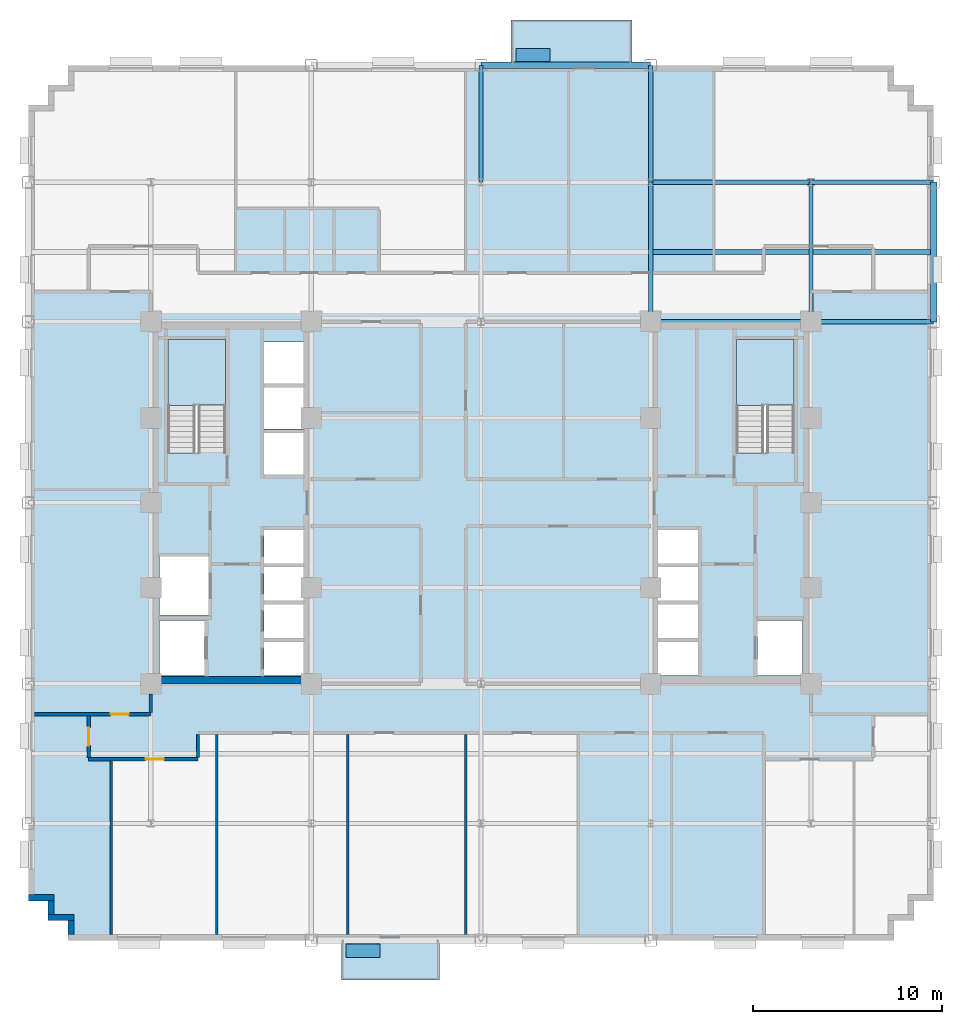
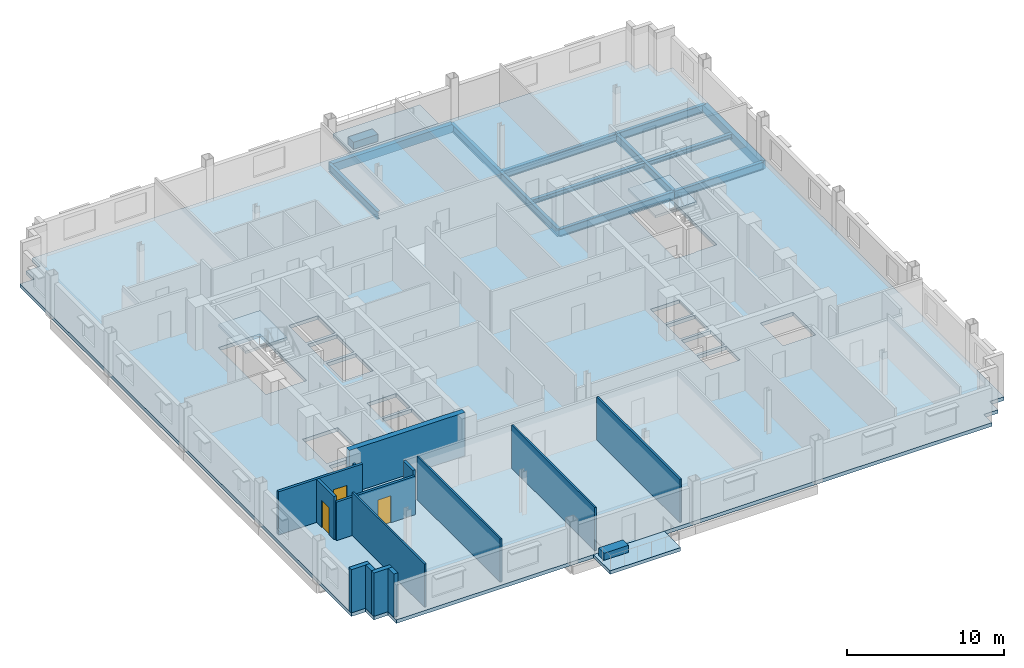
# One storey, part 5 of 14: 14 walls, 12 beams, 5 slabs, 3 doors, 2 plates, 3 openings, 2 elements without a shape of their own.
"""IFC4 building model written with IfcOpenShell, lengths in metres."""

from ifc_helpers import new_model, si_unit, direction, frame, frame_2d, origin, origin_2d, place, context, subcontext, project, spatial, polyline, rectangle, i_section, outline, extrude, source, transform, mapped, material, layer, layer_set, material_profile, profile_set, type_object, type_shapes, element, fill, aggregate, save


model = new_model("IFC4")

# Units and contexts
model_context = context("Model", 3, precision=1e-05, world=origin(), true_north=direction((0.0, 1.0)))
body_context = subcontext(model_context, "Body", "Model", "MODEL_VIEW")
ifc_project = project(units=[si_unit("LENGTHUNIT", "METRE"), si_unit("AREAUNIT", "SQUARE_METRE"), si_unit("VOLUMEUNIT", "CUBIC_METRE"), si_unit("PLANEANGLEUNIT", "RADIAN"), si_unit("MASSUNIT", "GRAM", prefix="KILO")], contexts=[model_context])

# Site, building, storey
site_placement = place(None, origin())
site = spatial("IfcSite", under=ifc_project, at=site_placement, CompositionType="ELEMENT")
building_placement = place(site_placement, origin())
building = spatial("IfcBuilding", under=site, at=building_placement, Name="Nuvemarco Arch Tower", CompositionType="ELEMENT")
storey_placement = place(building_placement, frame((0.0, 0.0, 101.949951171875)))
storey = spatial("IfcBuildingStorey", under=building, at=storey_placement, Name="L26", CompositionType="ELEMENT", Elevation=101.949951171875)

# Beams
ifc_material_1 = material(Name="Steel S355", Category="steel")
ifc_material_profile_1 = material_profile(ifc_material_1, i_section(OverallWidth=0.22998046875, OverallDepth=0.616943359375, WebThickness=0.01318359375, FlangeThickness=0.022216796875, FilletRadius=0.01611328125, at=origin_2d()), Name="W610x140")
ifc_profile_set_1 = profile_set([ifc_material_profile_1], Name="Steel S355")
beam_type_1 = type_object("IfcBeamType", Name="BM-GIRD-610", PredefinedType="BEAM", material=ifc_profile_set_1)
beam_1_placement = place(storey_placement, frame((0.0, 17.0, -0.58837890625), z_axis=(0.0, 1.0, 0.0), x_axis=(-1.0, 0.0, 0.0)))
element("IfcBeam", 1, at=beam_1_placement, inside=storey, type_object=beam_type_1, Name="L26 structural beam BGNS_L26_0_+0.0_+17.0", PredefinedType="BEAM", context=body_context, shape_type="SweptSolid", body=[
    extrude(i_section(OverallWidth=0.22998046875, OverallDepth=0.616943359375, WebThickness=0.01318359375, FlangeThickness=0.022216796875, FilletRadius=0.01611328125, at=origin_2d()), origin(), (0.0, 0.0, 1.0), 6.199951171875),
])
beam_2_placement = place(storey_placement, frame((9.0, 9.60009765625, -0.58837890625), z_axis=(0.0, 1.0, 0.0), x_axis=(-1.0, 0.0, 0.0)))
element("IfcBeam", 2, at=beam_2_placement, inside=storey, type_object=beam_type_1, Name="L26 structural beam BGNS_L26_0_+9.0_+9.6", PredefinedType="BEAM", context=body_context, shape_type="SweptSolid", body=[
    extrude(i_section(OverallWidth=0.22998046875, OverallDepth=0.616943359375, WebThickness=0.01318359375, FlangeThickness=0.022216796875, FilletRadius=0.01611328125, at=origin_2d()), origin(), (0.0, 0.0, 1.0), 7.39990234375),
])
beam_3_placement = place(storey_placement, frame((9.0, 17.0, -0.58837890625), z_axis=(0.0, 1.0, 0.0), x_axis=(-1.0, 0.0, 0.0)))
element("IfcBeam", 3, at=beam_3_placement, inside=storey, type_object=beam_type_1, Name="L26 structural beam BGNS_L26_0_+9.0_+17.0", PredefinedType="BEAM", context=body_context, shape_type="SweptSolid", body=[
    extrude(i_section(OverallWidth=0.22998046875, OverallDepth=0.616943359375, WebThickness=0.01318359375, FlangeThickness=0.022216796875, FilletRadius=0.01611328125, at=origin_2d()), origin(), (0.0, 0.0, 1.0), 6.199951171875),
])
beam_4_placement = place(storey_placement, frame((17.5, 9.60009765625, -0.58837890625), z_axis=(0.0, 1.0, 0.0), x_axis=(-1.0, 0.0, 0.0)))
element("IfcBeam", 4, at=beam_4_placement, inside=storey, type_object=beam_type_1, Name="L26 structural beam BGNS_L26_0_+17.5_+9.6", PredefinedType="BEAM", context=body_context, shape_type="SweptSolid", body=[
    extrude(i_section(OverallWidth=0.22998046875, OverallDepth=0.616943359375, WebThickness=0.01318359375, FlangeThickness=0.022216796875, FilletRadius=0.01611328125, at=origin_2d()), origin(), (0.0, 0.0, 1.0), 7.39990234375),
])
beam_5_placement = place(storey_placement, frame((9.0, 9.60009765625, -0.58837890625), z_axis=(1.0, 0.0, 0.0), x_axis=(0.0, 1.0, 0.0)))
element("IfcBeam", 5, at=beam_5_placement, inside=storey, type_object=beam_type_1, Name="L26 structural beam BGEW_L26_0_+9.6_+9.0", PredefinedType="BEAM", context=body_context, shape_type="SweptSolid", body=[
    extrude(i_section(OverallWidth=0.22998046875, OverallDepth=0.616943359375, WebThickness=0.01318359375, FlangeThickness=0.022216796875, FilletRadius=0.01611328125, at=origin_2d()), origin(), (0.0, 0.0, 1.0), 8.5),
])
beam_6_placement = place(storey_placement, frame((17.5, 9.60009765625, -0.58837890625), z_axis=(1.0, 0.0, 0.0), x_axis=(0.0, 1.0, 0.0)))
element("IfcBeam", 6, at=beam_6_placement, inside=storey, type_object=beam_type_1, Name="L26 structural beam BGEW_L26_0_+9.6_+17.5", PredefinedType="BEAM", context=body_context, shape_type="SweptSolid", body=[
    extrude(i_section(OverallWidth=0.22998046875, OverallDepth=0.616943359375, WebThickness=0.01318359375, FlangeThickness=0.022216796875, FilletRadius=0.01611328125, at=origin_2d()), origin(), (0.0, 0.0, 1.0), 6.5),
])
beam_7_placement = place(storey_placement, frame((9.0, 17.0, -0.58837890625), z_axis=(1.0, 0.0, 0.0), x_axis=(0.0, 1.0, 0.0)))
element("IfcBeam", 7, at=beam_7_placement, inside=storey, type_object=beam_type_1, Name="L26 structural beam BGEW_L26_0_+17.0_+9.0", PredefinedType="BEAM", context=body_context, shape_type="SweptSolid", body=[
    extrude(i_section(OverallWidth=0.22998046875, OverallDepth=0.616943359375, WebThickness=0.01318359375, FlangeThickness=0.022216796875, FilletRadius=0.01611328125, at=origin_2d()), origin(), (0.0, 0.0, 1.0), 8.5),
])
beam_8_placement = place(storey_placement, frame((17.5, 17.0, -0.58837890625), z_axis=(1.0, 0.0, 0.0), x_axis=(0.0, 1.0, 0.0)))
element("IfcBeam", 8, at=beam_8_placement, inside=storey, type_object=beam_type_1, Name="L26 structural beam BGEW_L26_0_+17.0_+17.5", PredefinedType="BEAM", context=body_context, shape_type="SweptSolid", body=[
    extrude(i_section(OverallWidth=0.22998046875, OverallDepth=0.616943359375, WebThickness=0.01318359375, FlangeThickness=0.022216796875, FilletRadius=0.01611328125, at=origin_2d()), origin(), (0.0, 0.0, 1.0), 6.5),
])
ifc_material_profile_2 = material_profile(ifc_material_1, i_section(OverallWidth=0.2548828125, OverallDepth=0.35693359375, WebThickness=0.010498046875, FlangeThickness=0.018310546875, FilletRadius=0.014892578125, at=origin_2d()), Name="W360x101")
ifc_profile_set_2 = profile_set([ifc_material_profile_2], Name="Steel S355")
beam_type_2 = type_object("IfcBeamType", Name="BM-JOIST-360H", PredefinedType="JOIST", material=ifc_profile_set_2)
beam_9_placement = place(storey_placement, frame((9.114990234375, 13.300048828125, -0.45849609375), z_axis=(1.0, 0.0, 0.0), x_axis=(0.0, 1.0, 0.0)))
element("IfcBeam", 9, at=beam_9_placement, inside=storey, type_object=beam_type_2, Name="L26 structural beam BJ_L26_0_+13.3_+9.0", PredefinedType="JOIST", context=body_context, shape_type="SweptSolid", body=[
    extrude(i_section(OverallWidth=0.2548828125, OverallDepth=0.35693359375, WebThickness=0.010498046875, FlangeThickness=0.018310546875, FilletRadius=0.014892578125, at=origin_2d()), origin(), (0.0, 0.0, 1.0), 8.27001953125),
])
beam_10_placement = place(storey_placement, frame((17.614990234375, 13.300048828125, -0.45849609375), z_axis=(1.0, 0.0, 0.0), x_axis=(0.0, 1.0, 0.0)))
element("IfcBeam", 10, at=beam_10_placement, inside=storey, type_object=beam_type_2, Name="L26 structural beam BJ_L26_0_+13.3_+17.5", PredefinedType="JOIST", context=body_context, shape_type="SweptSolid", body=[
    extrude(i_section(OverallWidth=0.2548828125, OverallDepth=0.35693359375, WebThickness=0.010498046875, FlangeThickness=0.018310546875, FilletRadius=0.014892578125, at=origin_2d()), origin(), (0.0, 0.0, 1.0), 6.2099609375),
])
ifc_material_2 = material(Name="Precast concrete C45/55", Category="concrete")
ifc_material_profile_3 = material_profile(ifc_material_2, rectangle(XDim=0.35009765625, YDim=0.64990234375, at=origin_2d()), Name="PC-SP-350x650")
ifc_profile_set_3 = profile_set([ifc_material_profile_3], Name="Precast concrete C45/55")
beam_type_3 = type_object("IfcBeamType", Name="BM-SPAN-RC", PredefinedType="SPANDREL", material=ifc_profile_set_3)
beam_11_placement = place(storey_placement, frame((24.0, 9.60009765625, -0.60498046875), z_axis=(0.0, 1.0, 0.0), x_axis=(-1.0, 0.0, 0.0)))
element("IfcBeam", 11, at=beam_11_placement, inside=storey, type_object=beam_type_3, Name="L26 structural beam BGNS_L26_0_+24.0_+9.6", PredefinedType="SPANDREL", context=body_context, shape_type="SweptSolid", body=[
    extrude(rectangle(XDim=0.35009765625, YDim=0.64990234375, at=origin_2d()), origin(), (0.0, 0.0, 1.0), 7.39990234375),
])
beam_12_placement = place(storey_placement, frame((0.0, 23.199951171875, -0.60498046875), z_axis=(1.0, 0.0, 0.0), x_axis=(0.0, 1.0, 0.0)))
element("IfcBeam", 12, at=beam_12_placement, inside=storey, type_object=beam_type_3, Name="L26 structural beam BGEW_L26_0_+23.2_+0.0", PredefinedType="SPANDREL", context=body_context, shape_type="SweptSolid", body=[
    extrude(rectangle(XDim=0.35009765625, YDim=0.64990234375, at=origin_2d()), origin(), (0.0, 0.0, 1.0), 9.0),
])

# Slab
ifc_material_3 = material(Name="Concrete C50/60", Category="concrete")
ifc_layer_1 = layer(ifc_material_3, 0.280029296875, Name="SL-FLR-280")
ifc_layer_set_1 = layer_set([ifc_layer_1], Name="Concrete C50/60")
slab_type_1 = type_object("IfcSlabType", Name="SL-FLR-280", PredefinedType="FLOOR", material=ifc_layer_set_1)
slab_1_placement = place(storey_placement, frame((0.0, 0.0, -0.280029296875)))
element("IfcSlab", 13, at=slab_1_placement, inside=storey, type_object=slab_type_1, Name="L26 structural floor slab", PredefinedType="FLOOR", context=body_context, shape_type="SweptSolid", body=[
    extrude(outline(polyline([(-21.89990234375, -23.199951171875), (21.89990234375, -23.199951171875), (21.89990234375, -22.14990234375), (22.949951171875, -22.14990234375), (22.949951171875, -21.10009765625), (24.0, -21.10009765625), (24.0, 21.10009765625), (22.949951171875, 21.10009765625), (22.949951171875, 22.14990234375), (21.89990234375, 22.14990234375), (21.89990234375, 23.199951171875), (-21.89990234375, 23.199951171875), (-21.89990234375, 22.14990234375), (-22.949951171875, 22.14990234375), (-22.949951171875, 21.10009765625), (-24.0, 21.10009765625), (-24.0, -21.10009765625), (-22.949951171875, -21.10009765625), (-22.949951171875, -22.14990234375), (-21.89990234375, -22.14990234375), (-21.89990234375, -23.199951171875)]), holes=[polyline([(-13.5400390625, 2.669921875), (-13.5400390625, 8.64990234375), (-16.60009765625, 8.64990234375), (-16.60009765625, 2.630615234375), (-15.070068359375, 2.630615234375), (-15.070068359375, 2.669921875), (-13.5400390625, 2.669921875)]), polyline([(16.60009765625, 2.669921875), (16.60009765625, 8.64990234375), (13.5400390625, 8.64990234375), (13.5400390625, 2.630615234375), (15.070068359375, 2.630615234375), (15.070068359375, 2.669921875), (16.60009765625, 2.669921875)]), polyline([(-17.050048828125, -9.14990234375), (-14.64990234375, -9.14990234375), (-14.64990234375, -6.25), (-17.050048828125, -6.25), (-17.050048828125, -9.14990234375)]), polyline([(-17.050048828125, -5.949951171875), (-14.449951171875, -5.949951171875), (-14.449951171875, -2.85009765625), (-17.050048828125, -2.85009765625), (-17.050048828125, -5.949951171875)]), polyline([(-11.5, -9.14990234375), (-9.35009765625, -9.14990234375), (-9.35009765625, -7.3701171875), (-11.5, -7.3701171875), (-11.5, -9.14990234375)]), polyline([(-11.5, -7.169921875), (-9.35009765625, -7.169921875), (-9.35009765625, -5.389892578125), (-11.5, -5.389892578125), (-11.5, -7.169921875)]), polyline([(-11.5, -5.18994140625), (-9.35009765625, -5.18994140625), (-9.35009765625, -3.409912109375), (-11.5, -3.409912109375), (-11.5, -5.18994140625)]), polyline([(-11.5, -3.2099609375), (-9.35009765625, -3.2099609375), (-9.35009765625, -1.429931640625), (-11.5, -1.429931640625), (-11.5, -3.2099609375)]), polyline([(-11.5, 1.5), (-9.35009765625, 1.5), (-9.35009765625, 3.699951171875), (-11.5, 3.699951171875), (-11.5, 1.5)]), polyline([(-11.5, 3.919921875), (-9.35009765625, 3.919921875), (-9.35009765625, 6.1201171875), (-11.5, 6.1201171875), (-11.5, 3.919921875)]), polyline([(-11.5, 6.340087890625), (-9.35009765625, 6.340087890625), (-9.35009765625, 8.5400390625), (-11.5, 8.5400390625), (-11.5, 6.340087890625)]), polyline([(14.64990234375, -9.14990234375), (17.050048828125, -9.14990234375), (17.050048828125, -6.25), (14.64990234375, -6.25), (14.64990234375, -9.14990234375)]), polyline([(9.35009765625, -9.14990234375), (11.5, -9.14990234375), (11.5, -7.3701171875), (9.35009765625, -7.3701171875), (9.35009765625, -9.14990234375)]), polyline([(9.35009765625, -7.169921875), (11.5, -7.169921875), (11.5, -5.389892578125), (9.35009765625, -5.389892578125), (9.35009765625, -7.169921875)]), polyline([(9.35009765625, -5.18994140625), (11.5, -5.18994140625), (11.5, -3.409912109375), (9.35009765625, -3.409912109375), (9.35009765625, -5.18994140625)]), polyline([(9.35009765625, -3.2099609375), (11.5, -3.2099609375), (11.5, -1.429931640625), (9.35009765625, -1.429931640625), (9.35009765625, -3.2099609375)])]), origin(), (0.0, 0.0, 1.0), 0.280029296875),
])

# Stair, slab
stair_type = type_object("IfcStairType", Name="ST-CORE-20R", PredefinedType="HALF_TURN_STAIR", material=ifc_material_2)
stair_1_placement = place(storey_placement, origin())
stair_1 = element("IfcStair", 14, at=stair_1_placement, inside=storey, type_object=stair_type, Name="L26 Protected Exit Stair ST-1", PredefinedType="HALF_TURN_STAIR")
ifc_layer_2 = layer(ifc_material_2, 0.199951171875, Name="SL-LANDING-200")
ifc_layer_set_2 = layer_set([ifc_layer_2], Name="Precast concrete C45/55")
slab_type_2 = type_object("IfcSlabType", Name="SL-LANDING-200", PredefinedType="LANDING", material=ifc_layer_set_2)
slab_2_placement = place(storey_placement, frame((0.0, 0.0, 1.625)))
slab_2 = element("IfcSlab", 15, at=slab_2_placement, type_object=slab_type_2, Name="ST-20R landing 1", PredefinedType="LANDING", context=body_context, shape_type="SweptSolid", body=[
    extrude(outline(polyline([(-13.5400390625, 5.189453125), (-13.5400390625, 8.64990234375), (-16.60009765625, 8.64990234375), (-16.60009765625, 5.169921875), (-15.070068359375, 5.169921875), (-15.070068359375, 5.189453125), (-13.5400390625, 5.189453125)])), origin(), (0.0, 0.0, 1.0), 0.199951171875),
])
aggregate(stair_1, [slab_2])

stair_2_placement = place(storey_placement, origin())
stair_2 = element("IfcStair", 16, at=stair_2_placement, inside=storey, type_object=stair_type, Name="L26 Protected Exit Stair ST-2", PredefinedType="HALF_TURN_STAIR")
slab_3_placement = place(storey_placement, frame((0.0, 0.0, 1.625)))
slab_3 = element("IfcSlab", 17, at=slab_3_placement, type_object=slab_type_2, Name="ST-20R landing 1", PredefinedType="LANDING", context=body_context, shape_type="SweptSolid", body=[
    extrude(outline(polyline([(16.60009765625, 5.189453125), (16.60009765625, 8.64990234375), (13.5400390625, 8.64990234375), (13.5400390625, 5.169921875), (15.070068359375, 5.169921875), (15.070068359375, 5.189453125), (16.60009765625, 5.189453125)])), origin(), (0.0, 0.0, 1.0), 0.199951171875),
])
aggregate(stair_2, [slab_3])

# Slabs
ifc_layer_3 = layer(ifc_material_3, 0.264892578125, Name="SL-TB1")
ifc_layer_set_3 = layer_set([ifc_layer_3], Name="Concrete C50/60")
slab_type_3 = type_object("IfcSlabType", Name="SL-TB1", PredefinedType="FLOOR", material=ifc_layer_set_3)
slab_4_placement = place(storey_placement, frame((0.0, 0.0, -0.264892578125)))
element("IfcSlab", 18, at=slab_4_placement, inside=storey, type_object=slab_type_3, Name="L26 outdoor tree balcony slab 2", PredefinedType="FLOOR", context=body_context, shape_type="SweptSolid", body=[
    extrude(outline(polyline([(-7.39990234375, -25.300048828125), (-2.199951171875, -25.300048828125), (-2.199951171875, -23.199951171875), (-7.39990234375, -23.199951171875), (-7.39990234375, -25.300048828125)])), origin(), (0.0, 0.0, 1.0), 0.264892578125),
])
ifc_layer_4 = layer(ifc_material_3, 0.294921875, Name="SL-TR4")
ifc_layer_set_4 = layer_set([ifc_layer_4], Name="Concrete C50/60")
slab_type_4 = type_object("IfcSlabType", Name="SL-TR4", PredefinedType="FLOOR", material=ifc_layer_set_4)
slab_5_placement = place(storey_placement, frame((0.0, 0.0, -0.294921875)))
element("IfcSlab", 19, at=slab_5_placement, inside=storey, type_object=slab_type_4, Name="L26 outdoor spiral terrace slab 1", PredefinedType="FLOOR", context=body_context, shape_type="SweptSolid", body=[
    extrude(outline(polyline([(1.60009765625, 23.199951171875), (8.0, 23.199951171875), (8.0, 25.60009765625), (1.60009765625, 25.60009765625), (1.60009765625, 23.199951171875)])), origin(), (0.0, 0.0, 1.0), 0.294921875),
])

# Plates
ifc_layer_5 = layer(ifc_material_2, 0.550048828125, Name="Tree Balcony Structural Planter")
ifc_layer_set_5 = layer_set([ifc_layer_5], Name="Precast concrete C45/55")
plate_type = type_object("IfcPlateType", Name="Tree Balcony Structural Planter", PredefinedType="USERDEFINED", material=ifc_layer_set_5)
shared_shape_1 = source(origin(), body_context, "Body", "SweptSolid", [
    extrude(rectangle(XDim=1.800048828125, YDim=0.699951171875, at=origin_2d()), origin(), (0.0, 0.0, 1.0), 0.550048828125),
])
type_shapes(plate_type, [shared_shape_1])
for number, where, z_axis, x_axis, name in (
    (20, (2.75, 23.75, 0.0), (0.0, 0.0, 1.0), (1.0, 0.0, 0.0), "L26 Tree Balcony Structural Planter"),
    (21, (-6.25, -23.75, 0.0), (0.0, 0.0, 1.0), (1.0, 0.0, 0.0), "L26 Tree Balcony Structural Planter"),
):
    element("IfcPlate", number, at=place(storey_placement, frame(where, z_axis=z_axis, x_axis=x_axis)), inside=storey, type_object=plate_type, Name=name, ObjectType="PLANTER", PredefinedType="USERDEFINED", context=body_context, shape_type="MappedRepresentation", body=[
        mapped(shared_shape_1, transform((0.0, 0.0, 0.0), scale=1.0)),
    ])

# Walls
ifc_layer_6 = layer(ifc_material_2, 0.320068359375, Name="EW-MID-320")
ifc_layer_set_6 = layer_set([ifc_layer_6], Name="Precast concrete C45/55")
wall_type_1 = type_object("IfcWallType", Name="EW-MID-320", PredefinedType="STANDARD", material=ifc_layer_set_6)
wall_1_placement = place(storey_placement, frame((-24.0, -20.93994140625, 0.0), z_axis=(0.0, 0.0, 1.0), x_axis=(1.0, 0.0, 0.0)))
element("IfcWall", 22, at=wall_1_placement, inside=storey, type_object=wall_type_1, Name="L26 exterior precast facade wall 17", PredefinedType="STANDARD", context=body_context, shape_type="SweptSolid", body=[
    extrude(rectangle(XDim=1.3701171875, YDim=0.320068359375, at=frame_2d((0.68505859375, 0.0))), origin(), (0.0, 0.0, 1.0), 3.360107421875),
])
wall_2_placement = place(storey_placement, frame((-22.7900390625, -21.833984375, 0.0), z_axis=(0.0, 0.0, 1.0), x_axis=(0.0, 1.0, 0.0)))
element("IfcWall", 23, at=wall_2_placement, inside=storey, type_object=wall_type_1, Name="L26 exterior precast facade wall 18", PredefinedType="STANDARD", context=body_context, shape_type="SweptSolid", body=[
    extrude(rectangle(XDim=0.738037109375, YDim=0.320068359375, at=frame_2d((0.369140625, 0.0))), origin(), (0.0, 0.0, 1.0), 3.360107421875),
])
wall_3_placement = place(storey_placement, frame((-22.949951171875, -21.989990234375, 0.0), z_axis=(0.0, 0.0, 1.0), x_axis=(1.0, 0.0, 0.0)))
element("IfcWall", 24, at=wall_3_placement, inside=storey, type_object=wall_type_1, Name="L26 exterior precast facade wall 19", PredefinedType="STANDARD", context=body_context, shape_type="SweptSolid", body=[
    extrude(rectangle(XDim=1.369873046875, YDim=0.320068359375, at=frame_2d((0.68505859375, 0.0))), origin(), (0.0, 0.0, 1.0), 3.360107421875),
])
wall_4_placement = place(storey_placement, frame((-21.739990234375, -22.884033203125, 0.0), z_axis=(0.0, 0.0, 1.0), x_axis=(0.0, 1.0, 0.0)))
element("IfcWall", 25, at=wall_4_placement, inside=storey, type_object=wall_type_1, Name="L26 exterior precast facade wall 20", PredefinedType="STANDARD", context=body_context, shape_type="SweptSolid", body=[
    extrude(rectangle(XDim=0.738037109375, YDim=0.320068359375, at=frame_2d((0.369140625, 0.0))), origin(), (0.0, 0.0, 1.0), 3.360107421875),
])
ifc_material_4 = material(Name="Concrete C60/75", Category="concrete")
ifc_layer_7 = layer(ifc_material_4, 0.39990234375, Name="WL-CORE-400")
ifc_layer_set_7 = layer_set([ifc_layer_7], Name="Concrete C60/75")
wall_type_2 = type_object("IfcWallType", Name="WL-CORE-400", PredefinedType="SHEAR", material=ifc_layer_set_7)
wall_5_placement = place(storey_placement, frame((-17.5, -9.39990234375, 0.0), z_axis=(0.0, 0.0, 1.0), x_axis=(1.0, 0.0, 0.0)))
element("IfcWall", 26, at=wall_5_placement, inside=storey, type_object=wall_type_2, Name="L26 W-core shear wall S", PredefinedType="SHEAR", context=body_context, shape_type="SweptSolid", body=[
    extrude(rectangle(XDim=8.5, YDim=0.39990234375, at=frame_2d((4.25, 0.0))), origin(), (0.0, 0.0, 1.0), 3.3701171875),
])

# Wall, opening, door
ifc_material_5 = material(Name="Fire-rated gypsum drywall partition")
ifc_layer_8 = layer(ifc_material_5, 0.179931640625, Name="WL-CORR-180")
ifc_layer_set_8 = layer_set([ifc_layer_8], Name="Fire-rated gypsum drywall partition")
wall_type_3 = type_object("IfcWallType", Name="WL-CORR-180", PredefinedType="PARTITIONING", material=ifc_layer_set_8)
wall_6_placement = place(storey_placement, frame((-20.800048828125, -13.60009765625, 0.0), z_axis=(0.0, 0.0, 1.0), x_axis=(1.0, 0.0, 0.0)))
wall_6 = element("IfcWall", 27, at=wall_6_placement, inside=storey, type_object=wall_type_3, Name="L26 interior wall IW-L26-001", PredefinedType="PARTITIONING", context=body_context, shape_type="SweptSolid", body=[
    extrude(rectangle(XDim=5.800048828125, YDim=0.179931640625, at=frame_2d((2.89990234375, 0.0))), origin(), (0.0, 0.0, 1.0), 2.998046875),
])
opening_1_placement = place(wall_6_placement, frame((3.02490234375, 0.0, 0.0)))
opening_1 = element("IfcOpeningElement", 28, at=opening_1_placement, cuts=wall_6, Name="Opening FD-5", PredefinedType="OPENING", context=body_context, shape_type="SweptSolid", body=[
    extrude(rectangle(XDim=0.9599609375, YDim=2.10009765625, at=frame_2d((0.47998046875, 1.050048828125))), frame((0.0, 0.099853515625, 0.0), z_axis=(0.0, -1.0, 0.0), x_axis=(1.0, 0.0, 0.0)), (0.0, 0.0, 1.0), 0.199951171875),
])
ifc_material_6 = material(Name="Timber fire door", Category="wood")
door_type = type_object("IfcDoorType", Name="DR-CORR-FD", OperationType="NOTDEFINED", PredefinedType="DOOR", material=ifc_material_6)
shared_shape_2 = source(origin(), body_context, "Body", "SweptSolid", [
    extrude(rectangle(XDim=0.9599609375, YDim=2.10009765625, at=frame_2d((0.47998046875, 1.050048828125))), frame((0.0, 0.02490234375, 0.0), z_axis=(0.0, -1.0, 0.0), x_axis=(1.0, 0.0, 0.0)), (0.0, 0.0, 1.0), 0.050048828125),
])
type_shapes(door_type, [shared_shape_2])
door_1_placement = place(opening_1_placement, origin())
door_1 = element("IfcDoor", 29, at=door_1_placement, inside=storey, type_object=door_type, Name="L26 door DR-L26-S_2", OperationType="SINGLE_SWING_LEFT", OverallHeight=2.10009765625, OverallWidth=0.9599609375, PredefinedType="DOOR", context=body_context, shape_type="MappedRepresentation", body=[
    mapped(shared_shape_2, transform((0.0, 0.0, 0.0), scale=1.0)),
])
fill(opening_1, door_1)

wall_7_placement = place(storey_placement, frame((-23.679931640625, -11.199951171875, 0.0), z_axis=(0.0, 0.0, 1.0), x_axis=(1.0, 0.0, 0.0)))
wall_7 = element("IfcWall", 30, at=wall_7_placement, inside=storey, type_object=wall_type_3, Name="L26 interior wall IW-L26-004", PredefinedType="PARTITIONING", context=body_context, shape_type="SweptSolid", body=[
    extrude(rectangle(XDim=6.179931640625, YDim=0.179931640625, at=frame_2d((3.08984375, 0.0))), origin(), (0.0, 0.0, 1.0), 3.360107421875),
])
opening_2_placement = place(wall_7_placement, frame((4.050048828125, 0.0, 0.0)))
opening_2 = element("IfcOpeningElement", 31, at=opening_2_placement, cuts=wall_7, Name="Opening FD-5", PredefinedType="OPENING", context=body_context, shape_type="SweptSolid", body=[
    extrude(rectangle(XDim=0.9599609375, YDim=2.10009765625, at=frame_2d((0.47998046875, 1.050048828125))), frame((0.0, 0.099853515625, 0.0), z_axis=(0.0, -1.0, 0.0), x_axis=(1.0, 0.0, 0.0)), (0.0, 0.0, 1.0), 0.199951171875),
])
door_2_placement = place(opening_2_placement, origin())
door_2 = element("IfcDoor", 32, at=door_2_placement, inside=storey, type_object=door_type, Name="L26 door DR-L26-W_1", OperationType="SINGLE_SWING_LEFT", OverallHeight=2.10009765625, OverallWidth=0.9599609375, PredefinedType="DOOR", context=body_context, shape_type="MappedRepresentation", body=[
    mapped(shared_shape_2, transform((0.0, 0.0, 0.0), scale=1.0)),
])
fill(opening_2, door_2)

wall_8_placement = place(storey_placement, frame((-20.800048828125, -13.513916015625, 0.0), z_axis=(0.0, 0.0, 1.0), x_axis=(0.0, 1.0, 0.0)))
wall_8 = element("IfcWall", 33, at=wall_8_placement, inside=storey, type_object=wall_type_3, Name="L26 interior wall IW-L26-024", PredefinedType="PARTITIONING", context=body_context, shape_type="SweptSolid", body=[
    extrude(rectangle(XDim=2.22802734375, YDim=0.179931640625, at=frame_2d((1.114013671875, 0.0))), origin(), (0.0, 0.0, 1.0), 3.360107421875),
])
opening_3_placement = place(wall_8_placement, frame((0.634033203125, 0.0, 0.0)))
opening_3 = element("IfcOpeningElement", 34, at=opening_3_placement, cuts=wall_8, Name="Opening FD-5", PredefinedType="OPENING", context=body_context, shape_type="SweptSolid", body=[
    extrude(rectangle(XDim=0.9599609375, YDim=2.10009765625, at=frame_2d((0.47998046875, 1.050048828125))), frame((0.0, 0.099853515625, 0.0), z_axis=(0.0, -1.0, 0.0), x_axis=(1.0, 0.0, 0.0)), (0.0, 0.0, 1.0), 0.199951171875),
])
door_3_placement = place(opening_3_placement, origin())
door_3 = element("IfcDoor", 35, at=door_3_placement, inside=storey, type_object=door_type, Name="L26 door DR-L26-S_1", OperationType="SINGLE_SWING_RIGHT", OverallHeight=2.10009765625, OverallWidth=0.9599609375, PredefinedType="DOOR", context=body_context, shape_type="MappedRepresentation", body=[
    mapped(shared_shape_2, transform((0.0, 0.0, 0.0), scale=1.0)),
])
fill(opening_3, door_3)

# Walls
wall_9_placement = place(storey_placement, frame((-17.5, -11.114013671875, 0.0), z_axis=(0.0, 0.0, 1.0), x_axis=(0.0, 1.0, 0.0)))
element("IfcWall", 36, at=wall_9_placement, inside=storey, type_object=wall_type_3, Name="L26 interior wall IW-L26-027", PredefinedType="PARTITIONING", context=body_context, shape_type="SweptSolid", body=[
    extrude(rectangle(XDim=0.968017578125, YDim=0.179931640625, at=frame_2d((0.48388671875, 0.0))), origin(), (0.0, 0.0, 1.0), 2.738037109375),
])
wall_10_placement = place(storey_placement, frame((-15.0, -13.513916015625, 0.0), z_axis=(0.0, 0.0, 1.0), x_axis=(0.0, 1.0, 0.0)))
element("IfcWall", 37, at=wall_10_placement, inside=storey, type_object=wall_type_3, Name="L26 interior wall IW-L26-029", PredefinedType="PARTITIONING", context=body_context, shape_type="SweptSolid", body=[
    extrude(rectangle(XDim=1.22802734375, YDim=0.179931640625, at=frame_2d((0.614013671875, 0.0))), origin(), (0.0, 0.0, 1.0), 3.360107421875),
])
ifc_material_7 = material(Name="Glazed acoustic office partition")
ifc_layer_9 = layer(ifc_material_7, 0.1298828125, Name="WL-EXEC-130")
ifc_layer_set_9 = layer_set([ifc_layer_9], Name="Glazed acoustic office partition")
wall_type_4 = type_object("IfcWallType", Name="WL-EXEC-130", PredefinedType="PARTITIONING", material=ifc_layer_set_9)
wall_11_placement = place(storey_placement, frame((-19.590087890625, -22.8798828125, 0.0), z_axis=(0.0, 0.0, 1.0), x_axis=(0.0, 1.0, 0.0)))
element("IfcWall", 38, at=wall_11_placement, inside=storey, type_object=wall_type_4, Name="L26 interior wall IW-L26-026", PredefinedType="PARTITIONING", context=body_context, shape_type="SweptSolid", body=[
    extrude(rectangle(XDim=9.19384765625, YDim=0.1298828125, at=frame_2d((4.596923828125, 0.0))), origin(), (0.0, 0.0, 1.0), 3.360107421875),
])
for number, where, z_axis, x_axis, name in (
    (39, (-14.02001953125, -22.8798828125, 0.0), (0.0, 0.0, 1.0), (0.0, 1.0, 0.0), "L26 interior wall IW-L26-031"),
    (40, (-7.06005859375, -22.8798828125, 0.0), (0.0, 0.0, 1.0), (0.0, 1.0, 0.0), "L26 interior wall IW-L26-035"),
):
    element("IfcWall", number, at=place(storey_placement, frame(where, z_axis=z_axis, x_axis=x_axis)), inside=storey, type_object=wall_type_4, Name=name, PredefinedType="PARTITIONING", context=body_context, shape_type="SweptSolid", body=[
        extrude(rectangle(XDim=10.593994140625, YDim=0.1298828125, at=frame_2d((5.296875, 0.0))), origin(), (0.0, 0.0, 1.0), 3.360107421875),
    ])
ifc_material_8 = material(Name="Gypsum plasterboard partition")
ifc_layer_10 = layer(ifc_material_8, 0.139892578125, Name="WL-ROOM-140")
ifc_layer_set_10 = layer_set([ifc_layer_10], Name="Gypsum plasterboard partition")
wall_type_5 = type_object("IfcWallType", Name="WL-ROOM-140", PredefinedType="PARTITIONING", material=ifc_layer_set_10)
wall_12_placement = place(storey_placement, frame((-0.800048828125, -22.8798828125, 0.0), z_axis=(0.0, 0.0, 1.0), x_axis=(0.0, 1.0, 0.0)))
element("IfcWall", 41, at=wall_12_placement, inside=storey, type_object=wall_type_5, Name="L26 interior wall IW-L26-039", PredefinedType="PARTITIONING", context=body_context, shape_type="SweptSolid", body=[
    extrude(rectangle(XDim=10.593994140625, YDim=0.139892578125, at=frame_2d((5.296875, 0.0))), origin(), (0.0, 0.0, 1.0), 3.360107421875),
])

save(model, "model.ifc")
